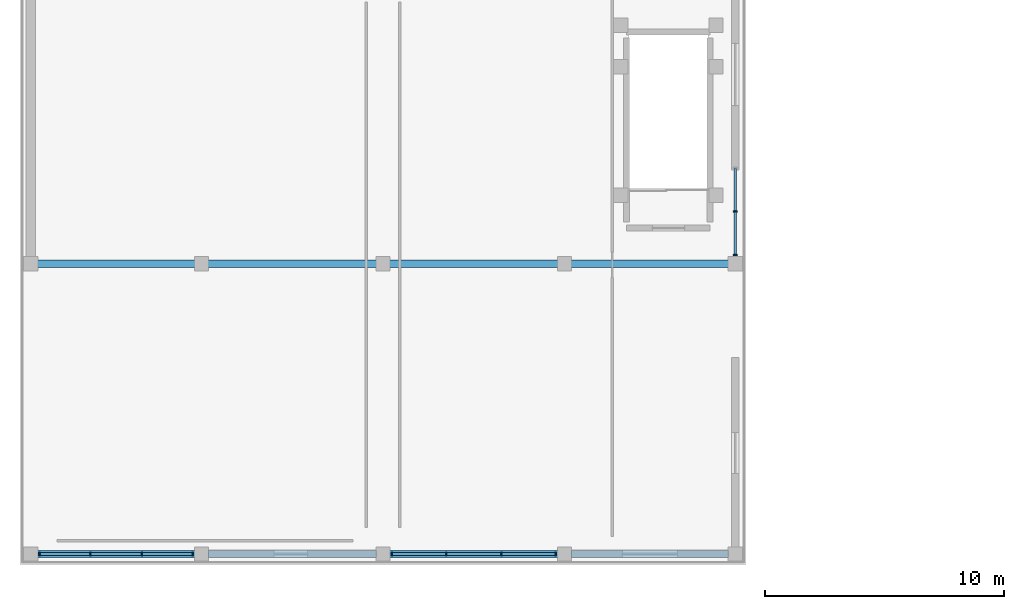
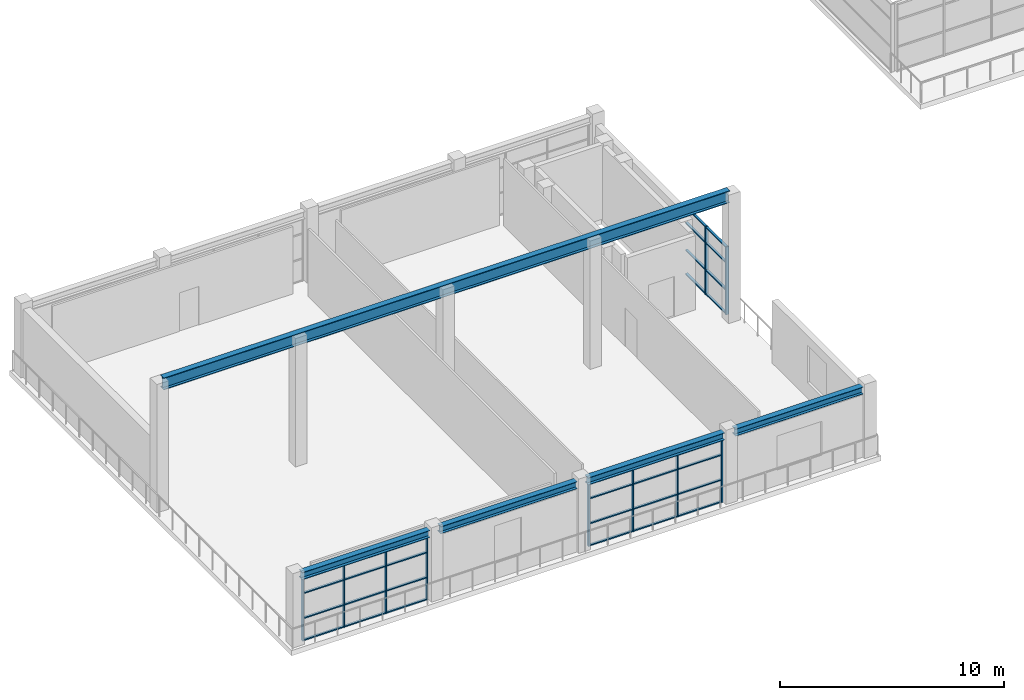
# One storey, part 12 of 87: 42 members, 5 beams, 3 elements without a shape of their own.
"""IFC4 building model written with IfcOpenShell, lengths in metres."""

import ifcopenshell
import ifcopenshell.guid

model = None  # the IFC model being written
_history = None  # IfcOwnerHistory: only IFC2X3 demands one
_inside = {}  # id of a spatial element -> (the spatial element, [elements in it])
_under = {}  # id of a project, library or spatial element -> (it, [spatial elements below it])
_declared = {}  # id of a project -> (the project, [libraries it declares])
_typed = {}  # id of a type object -> (the type object, [elements of that type])
_made_of = {}  # id of a material, layer set ... -> (it, [elements and type objects made of it])


def new_model(schema):
    """Start an empty IFC model of exactly this schema.

    Asked for "IFC4X3", IfcOpenShell would pick the latest addendum, in which some entities
    have other attributes; the version numbers below select the first issue.
    IFC2X3 requires an IfcOwnerHistory on every rooted entity: one is made here for all.
    """
    global model, _history
    if schema == "IFC4X3":
        model = ifcopenshell.file(schema_version=(4, 3, 0, 0))
    else:
        model = ifcopenshell.file(schema=schema)
    _inside.clear()
    _under.clear()
    _declared.clear()
    _typed.clear()
    _made_of.clear()
    _history = None
    if model.schema == "IFC2X3":
        org = make("IfcOrganization", Name="unknown")
        user = make(
            "IfcPersonAndOrganization",
            ThePerson=make("IfcPerson", FamilyName="unknown"),
            TheOrganization=org,
        )
        app = make(
            "IfcApplication",
            ApplicationDeveloper=org,
            Version="unknown",
            ApplicationFullName="unknown",
            ApplicationIdentifier="unknown",
        )
        _history = make(
            "IfcOwnerHistory",
            OwningUser=user,
            OwningApplication=app,
            ChangeAction="ADDED",
            CreationDate=0,
        )
    return model


def make(cls, **values):
    """One entity of the class cls with the attributes given. An attribute that is None is left unset."""
    return model.create_entity(
        cls, **{name: value for name, value in values.items() if value is not None}
    )


def rooted(cls, **values):
    """An entity with a GlobalId (a new one), such as an element, a storey or a relation."""
    return make(cls, GlobalId=ifcopenshell.guid.new(), OwnerHistory=_history, **values)


def si_unit(unit_type, name, prefix=None):
    """IfcSIUnit, for example si_unit("LENGTHUNIT", "METRE", prefix="MILLI")."""
    return make("IfcSIUnit", UnitType=unit_type, Prefix=prefix, Name=name)


def assignment(units):
    """IfcUnitAssignment: the units of a project."""
    return None if units is None else make("IfcUnitAssignment", Units=units)


def point(xyz):
    """IfcCartesianPoint."""
    return None if xyz is None else make("IfcCartesianPoint", Coordinates=xyz)


def direction(xyz):
    """IfcDirection."""
    return None if xyz is None else make("IfcDirection", DirectionRatios=xyz)


def frame(location, z_axis=None, x_axis=None):
    """IfcAxis2Placement3D, a coordinate frame: its origin and axes. An axis left out is left unset."""
    return make(
        "IfcAxis2Placement3D",
        Location=point(location),
        Axis=direction(z_axis),
        RefDirection=direction(x_axis),
    )


def frame_2d(location, x_axis=None):
    """IfcAxis2Placement2D, a coordinate frame in the plane: its origin and x axis."""
    return make(
        "IfcAxis2Placement2D", Location=point(location), RefDirection=direction(x_axis)
    )


def origin():
    """The frame at (0, 0, 0) with its axes left unset."""
    return frame((0.0, 0.0, 0.0))


def origin_2d():
    """The frame at (0, 0) in the plane with its x axis left unset."""
    return frame_2d((0.0, 0.0))


def place(relative_to, where):
    """IfcLocalPlacement: puts the frame where relative to a parent placement (None: the world)."""
    return make(
        "IfcLocalPlacement", PlacementRelTo=relative_to, RelativePlacement=where
    )


def context(
    kind, dimensions, precision=None, world=None, true_north=None, identifier=None
):
    """IfcGeometricRepresentationContext, for example the 3D "Model" context."""
    return make(
        "IfcGeometricRepresentationContext",
        ContextIdentifier=identifier,
        ContextType=kind,
        CoordinateSpaceDimension=dimensions,
        Precision=precision,
        WorldCoordinateSystem=world,
        TrueNorth=true_north,
    )


def subcontext(parent, identifier, kind, view, scale=None):
    """IfcGeometricRepresentationSubContext, for example "Body" below "Model"."""
    return make(
        "IfcGeometricRepresentationSubContext",
        ContextIdentifier=identifier,
        ContextType=kind,
        ParentContext=parent,
        TargetScale=scale,
        TargetView=view,
    )


def project(units=None, contexts=None):
    """IfcProject with its units and contexts."""
    return rooted(
        "IfcProject",
        Name="project",
        RepresentationContexts=contexts,
        UnitsInContext=assignment(units),
    )


def spatial(cls, under=None, at=None, **own):
    """A site, building, storey or space (cls), placed at a placement, below another one or the project."""
    s = rooted(cls, ObjectPlacement=at, **own)
    if under is not None:
        _under.setdefault(under.id(), (under, []))[1].append(s)
    return s


def profile(cls, at=None, kind="AREA", **sizes):
    """A parametric profile (cls). Its sizes go by their IFC names, for example OverallWidth=200.0."""
    return make(cls, ProfileType=kind, Position=at, **sizes)


def rectangle(**sizes):
    """IfcRectangleProfileDef."""
    return profile("IfcRectangleProfileDef", **sizes)


def i_section(**sizes):
    """IfcIShapeProfileDef."""
    return profile("IfcIShapeProfileDef", **sizes)


def extrude(swept, where, along, depth):
    """IfcExtrudedAreaSolid: the profile swept, set in the frame where, extruded along a direction by depth."""
    return make(
        "IfcExtrudedAreaSolid",
        SweptArea=swept,
        Position=where,
        ExtrudedDirection=direction(along),
        Depth=depth,
    )


def shape(context_of_items, identifier, shape_type, items):
    """IfcShapeRepresentation: the items that make up one representation, for example the "Body"."""
    return make(
        "IfcShapeRepresentation",
        ContextOfItems=context_of_items,
        RepresentationIdentifier=identifier,
        RepresentationType=shape_type,
        Items=items,
    )


def material(Name=None, Category=None):
    """IfcMaterial."""
    return make("IfcMaterial", Name=Name, Category=Category)


def material_profile(
    of_material, cross_section, Name=None, Category=None, Priority=None
):
    """IfcMaterialProfile: a cross section and its material."""
    return make(
        "IfcMaterialProfile",
        Name=Name,
        Material=of_material,
        Profile=cross_section,
        Priority=Priority,
        Category=Category,
    )


def profile_set(profiles, Name=None, composite=None):
    """IfcMaterialProfileSet."""
    return make(
        "IfcMaterialProfileSet",
        Name=Name,
        MaterialProfiles=profiles,
        CompositeProfile=composite,
    )


def made_of(thing, what):
    """Note that an element or type object is made of a material, layer set ...; save() writes the relation."""
    if what is not None:
        _made_of.setdefault(what.id(), (what, []))[1].append(thing)
    return thing


def type_object(cls, material=None, **own):
    """A type object (cls), such as IfcWallType, which elements share."""
    return made_of(rooted(cls, **own), material)


def element(
    cls,
    number,
    at=None,
    inside=None,
    cuts=None,
    type_object=None,
    material=None,
    context=None,
    identifier="Body",
    shape_type=None,
    held_by="IfcProductDefinitionShape",
    body=None,
    shapes=None,
    **own,
):
    """One element of the class cls, such as IfcWall. Its Tag is "e" and its number.

    at: its placement. inside: the storey or other place that contains it. cuts: it is an
    opening in that element (IfcRelVoidsElement). A single representation is given by context,
    identifier, shape_type and body (its items); several are given by shapes. held_by: the class
    of the entity that holds the representations. save() writes the other relations.
    """
    e = rooted(cls, Tag="e%d" % number, ObjectPlacement=at, **own)
    if body is not None:
        shapes = [shape(context, identifier, shape_type, body)]
    if shapes is not None:
        e.Representation = make(held_by, Representations=shapes)
    if inside is not None:
        _inside.setdefault(inside.id(), (inside, []))[1].append(e)
    if cuts is not None:
        rooted(
            "IfcRelVoidsElement", RelatingBuildingElement=cuts, RelatedOpeningElement=e
        )
    if type_object is not None:
        _typed.setdefault(type_object.id(), (type_object, []))[1].append(e)
    return made_of(e, material)


def aggregate(whole, parts):
    """IfcRelAggregates: a whole, such as a stair, and the parts it consists of."""
    return rooted("IfcRelAggregates", RelatingObject=whole, RelatedObjects=parts)


def save(model, path):
    """Write the relations noted so far, then the file.

    IfcRelAggregates (storeys below a building ...), IfcRelContainedInSpatialStructure (elements
    in a storey), IfcRelDefinesByType, IfcRelAssociatesMaterial and IfcRelDeclares: one each for
    every whole, place, type object, material and project.
    """
    for whole, parts in _under.values():
        aggregate(whole, parts)
    for where, things in _inside.values():
        rooted(
            "IfcRelContainedInSpatialStructure",
            RelatedElements=things,
            RelatingStructure=where,
        )
    for kind, things in _typed.values():
        rooted("IfcRelDefinesByType", RelatedObjects=things, RelatingType=kind)
    for what, things in _made_of.values():
        rooted("IfcRelAssociatesMaterial", RelatedObjects=things, RelatingMaterial=what)
    for by, libraries in _declared.values():
        rooted("IfcRelDeclares", RelatingContext=by, RelatedDefinitions=libraries)
    model.write(path)


model = new_model("IFC4")

# Units and contexts
model_context = context("Model", 3, precision=1e-05, world=origin(), true_north=direction((0.0, 1.0)))
body_context = subcontext(model_context, "Body", "Model", "MODEL_VIEW")
ifc_project = project(units=[si_unit("LENGTHUNIT", "METRE"), si_unit("AREAUNIT", "SQUARE_METRE"), si_unit("VOLUMEUNIT", "CUBIC_METRE"), si_unit("PLANEANGLEUNIT", "RADIAN"), si_unit("MASSUNIT", "GRAM", prefix="KILO")], contexts=[model_context])

# Site, building, storey
site_placement = place(None, origin())
site = spatial("IfcSite", under=ifc_project, at=site_placement, CompositionType="ELEMENT")
building_placement = place(site_placement, origin())
building = spatial("IfcBuilding", under=site, at=building_placement, Name="Saryqyr Civic Hall", CompositionType="ELEMENT")
storey_placement = place(building_placement, frame((0.0, 0.0, 5.10009765625)))
storey = spatial("IfcBuildingStorey", under=building, at=storey_placement, Name="L01", CompositionType="ELEMENT", Elevation=5.10009765625)

# Curtain wall, members
ifc_material_1 = material(Name="Anodised aluminium and triple low-E glass", Category="aluminium")
curtain_wall_type_1 = type_object("IfcCurtainWallType", Name="ENV-CW-STD-61", PredefinedType="NOTDEFINED", material=ifc_material_1)
curtain_wall_1_placement = place(storey_placement, origin())
curtain_wall_1 = element("IfcCurtainWall", 1, at=curtain_wall_1_placement, inside=storey, type_object=curtain_wall_type_1, Name="Curtain wall V7W-CW-L01-0-1", PredefinedType="NOTDEFINED")
ifc_material_2 = material(Name="Anodised aluminium", Category="aluminium")
ifc_material_profile_1 = material_profile(ifc_material_2, rectangle(XDim=0.06005859375, YDim=0.159912109375, at=origin_2d()), Name="ALU MULLION 60x160")
ifc_profile_set_1 = profile_set([ifc_material_profile_1], Name="Anodised aluminium")
member_type_1 = type_object("IfcMemberType", Name="ENV-CW-MUL-180", PredefinedType="MULLION", material=ifc_profile_set_1)
member_1_placement = place(storey_placement, frame((22.429931640625, 0.449951171875, 0.0), z_axis=(0.0, 0.0, 1.0), x_axis=(-1.0, 0.0, 0.0)))
member_1 = element("IfcMember", 2, at=member_1_placement, type_object=member_type_1, Name="CW-61 mullion 1", PredefinedType="MULLION", context=body_context, shape_type="SweptSolid", body=[
    extrude(rectangle(XDim=0.06005859375, YDim=0.159912109375, at=origin_2d()), origin(), (0.0, 0.0, 1.0), 3.40478515625),
])
member_2_placement = place(storey_placement, frame((20.1533203125, 0.449951171875, 0.0), z_axis=(0.0, 0.0, 1.0), x_axis=(-1.0, 0.0, 0.0)))
member_2 = element("IfcMember", 3, at=member_2_placement, type_object=member_type_1, Name="CW-61 mullion 2", PredefinedType="MULLION", context=body_context, shape_type="SweptSolid", body=[
    extrude(rectangle(XDim=0.06005859375, YDim=0.159912109375, at=origin_2d()), origin(), (0.0, 0.0, 1.0), 3.40478515625),
])
member_3_placement = place(storey_placement, frame((17.8466796875, 0.449951171875, 0.0), z_axis=(0.0, 0.0, 1.0), x_axis=(-1.0, 0.0, 0.0)))
member_3 = element("IfcMember", 4, at=member_3_placement, type_object=member_type_1, Name="CW-61 mullion 3", PredefinedType="MULLION", context=body_context, shape_type="SweptSolid", body=[
    extrude(rectangle(XDim=0.06005859375, YDim=0.159912109375, at=origin_2d()), origin(), (0.0, 0.0, 1.0), 3.40478515625),
])
member_4_placement = place(storey_placement, frame((15.570068359375, 0.449951171875, 0.0), z_axis=(0.0, 0.0, 1.0), x_axis=(-1.0, 0.0, 0.0)))
member_4 = element("IfcMember", 5, at=member_4_placement, type_object=member_type_1, Name="CW-61 mullion 4", PredefinedType="MULLION", context=body_context, shape_type="SweptSolid", body=[
    extrude(rectangle(XDim=0.06005859375, YDim=0.159912109375, at=origin_2d()), origin(), (0.0, 0.0, 1.0), 3.40478515625),
])

curtain_wall_type_2 = type_object("IfcCurtainWallType", Name="ENV-CW-STD-62", PredefinedType="NOTDEFINED", material=ifc_material_1)
curtain_wall_2_placement = place(storey_placement, origin())
curtain_wall_2 = element("IfcCurtainWall", 6, at=curtain_wall_2_placement, inside=storey, type_object=curtain_wall_type_2, Name="Curtain wall V7W-CW-L01-0-3", PredefinedType="NOTDEFINED")
member_5_placement = place(storey_placement, frame((7.22998046875, 0.449951171875, 0.0), z_axis=(0.0, 0.0, 1.0), x_axis=(-1.0, 0.0, 0.0)))
member_5 = element("IfcMember", 7, at=member_5_placement, type_object=member_type_1, Name="CW-62 mullion 1", PredefinedType="MULLION", context=body_context, shape_type="SweptSolid", body=[
    extrude(rectangle(XDim=0.06005859375, YDim=0.159912109375, at=origin_2d()), origin(), (0.0, 0.0, 1.0), 3.40478515625),
])
member_6_placement = place(storey_placement, frame((5.103271484375, 0.449951171875, 0.0), z_axis=(0.0, 0.0, 1.0), x_axis=(-1.0, 0.0, 0.0)))
member_6 = element("IfcMember", 8, at=member_6_placement, type_object=member_type_1, Name="CW-62 mullion 2", PredefinedType="MULLION", context=body_context, shape_type="SweptSolid", body=[
    extrude(rectangle(XDim=0.06005859375, YDim=0.159912109375, at=origin_2d()), origin(), (0.0, 0.0, 1.0), 3.40478515625),
])
member_7_placement = place(storey_placement, frame((2.94677734375, 0.449951171875, 0.0), z_axis=(0.0, 0.0, 1.0), x_axis=(-1.0, 0.0, 0.0)))
member_7 = element("IfcMember", 9, at=member_7_placement, type_object=member_type_1, Name="CW-62 mullion 3", PredefinedType="MULLION", context=body_context, shape_type="SweptSolid", body=[
    extrude(rectangle(XDim=0.06005859375, YDim=0.159912109375, at=origin_2d()), origin(), (0.0, 0.0, 1.0), 3.40478515625),
])
member_8_placement = place(storey_placement, frame((0.820068359375, 0.449951171875, 0.0), z_axis=(0.0, 0.0, 1.0), x_axis=(-1.0, 0.0, 0.0)))
member_8 = element("IfcMember", 10, at=member_8_placement, type_object=member_type_1, Name="CW-62 mullion 4", PredefinedType="MULLION", context=body_context, shape_type="SweptSolid", body=[
    extrude(rectangle(XDim=0.06005859375, YDim=0.159912109375, at=origin_2d()), origin(), (0.0, 0.0, 1.0), 3.40478515625),
])

curtain_wall_type_3 = type_object("IfcCurtainWallType", Name="ENV-CW-STD-45", PredefinedType="NOTDEFINED", material=ifc_material_1)
curtain_wall_3_placement = place(storey_placement, origin())
curtain_wall_3 = element("IfcCurtainWall", 11, at=curtain_wall_3_placement, inside=storey, type_object=curtain_wall_type_3, Name="Curtain wall V7W-CW-L01-1-1", PredefinedType="NOTDEFINED")
member_9_placement = place(storey_placement, frame((29.949951171875, 14.794921875, 0.0), z_axis=(0.0, 0.0, 1.0), x_axis=(0.0, -1.0, 0.0)))
member_9 = element("IfcMember", 12, at=member_9_placement, type_object=member_type_1, Name="CW-45 mullion 2", PredefinedType="MULLION", context=body_context, shape_type="SweptSolid", body=[
    extrude(rectangle(XDim=0.06005859375, YDim=0.159912109375, at=origin_2d()), origin(), (0.0, 0.0, 1.0), 3.699951171875),
])
member_10_placement = place(storey_placement, frame((29.949951171875, 12.969970703125, 0.0), z_axis=(0.0, 0.0, 1.0), x_axis=(0.0, -1.0, 0.0)))
member_10 = element("IfcMember", 13, at=member_10_placement, type_object=member_type_1, Name="CW-45 mullion 3", PredefinedType="MULLION", context=body_context, shape_type="SweptSolid", body=[
    extrude(rectangle(XDim=0.06005859375, YDim=0.159912109375, at=origin_2d()), origin(), (0.0, 0.0, 1.0), 3.699951171875),
])

# Member
ifc_material_profile_2 = material_profile(ifc_material_2, rectangle(XDim=0.1201171875, YDim=0.06005859375, at=origin_2d()), Name="ALU TRANSOM 120x60")
ifc_profile_set_2 = profile_set([ifc_material_profile_2], Name="Anodised aluminium")
member_type_2 = type_object("IfcMemberType", Name="ENV-CW-TRN-150", PredefinedType="USERDEFINED", material=ifc_profile_set_2)
member_11_placement = place(storey_placement, frame((22.39990234375, 0.449951171875, 0.02978515625), z_axis=(-1.0, 0.0, 0.0), x_axis=(0.0, -1.0, 0.0)))
member_11 = element("IfcMember", 14, at=member_11_placement, type_object=member_type_2, Name="CW-61 transom 1.1", ObjectType="TRANSOM", PredefinedType="USERDEFINED", context=body_context, shape_type="SweptSolid", body=[
    extrude(rectangle(XDim=0.1201171875, YDim=0.06005859375, at=origin_2d()), origin(), (0.0, 0.0, 1.0), 2.216552734375),
])

member_12_placement = place(storey_placement, frame((22.39990234375, 0.449951171875, 1.225830078125), z_axis=(-1.0, 0.0, 0.0), x_axis=(0.0, -1.0, 0.0)))
member_12 = element("IfcMember", 15, at=member_12_placement, type_object=member_type_2, Name="CW-61 transom 1.2", ObjectType="TRANSOM", PredefinedType="USERDEFINED", context=body_context, shape_type="SweptSolid", body=[
    extrude(rectangle(XDim=0.1201171875, YDim=0.06005859375, at=origin_2d()), origin(), (0.0, 0.0, 1.0), 2.216552734375),
])

member_13_placement = place(storey_placement, frame((22.39990234375, 0.449951171875, 2.587890625), z_axis=(-1.0, 0.0, 0.0), x_axis=(0.0, -1.0, 0.0)))
member_13 = element("IfcMember", 16, at=member_13_placement, type_object=member_type_2, Name="CW-61 transom 1.3", ObjectType="TRANSOM", PredefinedType="USERDEFINED", context=body_context, shape_type="SweptSolid", body=[
    extrude(rectangle(XDim=0.1201171875, YDim=0.06005859375, at=origin_2d()), origin(), (0.0, 0.0, 1.0), 2.216552734375),
])

member_14_placement = place(storey_placement, frame((22.39990234375, 0.449951171875, 3.375), z_axis=(-1.0, 0.0, 0.0), x_axis=(0.0, -1.0, 0.0)))
member_14 = element("IfcMember", 17, at=member_14_placement, type_object=member_type_2, Name="CW-61 transom 1.4", ObjectType="TRANSOM", PredefinedType="USERDEFINED", context=body_context, shape_type="SweptSolid", body=[
    extrude(rectangle(XDim=0.1201171875, YDim=0.06005859375, at=origin_2d()), origin(), (0.0, 0.0, 1.0), 2.216552734375),
])

member_15_placement = place(storey_placement, frame((20.123291015625, 0.449951171875, 0.02978515625), z_axis=(-1.0, 0.0, 0.0), x_axis=(0.0, -1.0, 0.0)))
member_15 = element("IfcMember", 18, at=member_15_placement, type_object=member_type_2, Name="CW-61 transom 2.1", ObjectType="TRANSOM", PredefinedType="USERDEFINED", context=body_context, shape_type="SweptSolid", body=[
    extrude(rectangle(XDim=0.1201171875, YDim=0.06005859375, at=origin_2d()), origin(), (0.0, 0.0, 1.0), 2.24658203125),
])

member_16_placement = place(storey_placement, frame((20.123291015625, 0.449951171875, 1.225830078125), z_axis=(-1.0, 0.0, 0.0), x_axis=(0.0, -1.0, 0.0)))
member_16 = element("IfcMember", 19, at=member_16_placement, type_object=member_type_2, Name="CW-61 transom 2.2", ObjectType="TRANSOM", PredefinedType="USERDEFINED", context=body_context, shape_type="SweptSolid", body=[
    extrude(rectangle(XDim=0.1201171875, YDim=0.06005859375, at=origin_2d()), origin(), (0.0, 0.0, 1.0), 2.24658203125),
])

member_17_placement = place(storey_placement, frame((20.123291015625, 0.449951171875, 2.587890625), z_axis=(-1.0, 0.0, 0.0), x_axis=(0.0, -1.0, 0.0)))
member_17 = element("IfcMember", 20, at=member_17_placement, type_object=member_type_2, Name="CW-61 transom 2.3", ObjectType="TRANSOM", PredefinedType="USERDEFINED", context=body_context, shape_type="SweptSolid", body=[
    extrude(rectangle(XDim=0.1201171875, YDim=0.06005859375, at=origin_2d()), origin(), (0.0, 0.0, 1.0), 2.24658203125),
])

member_18_placement = place(storey_placement, frame((20.123291015625, 0.449951171875, 3.375), z_axis=(-1.0, 0.0, 0.0), x_axis=(0.0, -1.0, 0.0)))
member_18 = element("IfcMember", 21, at=member_18_placement, type_object=member_type_2, Name="CW-61 transom 2.4", ObjectType="TRANSOM", PredefinedType="USERDEFINED", context=body_context, shape_type="SweptSolid", body=[
    extrude(rectangle(XDim=0.1201171875, YDim=0.06005859375, at=origin_2d()), origin(), (0.0, 0.0, 1.0), 2.24658203125),
])

member_19_placement = place(storey_placement, frame((17.816650390625, 0.449951171875, 0.02978515625), z_axis=(-1.0, 0.0, 0.0), x_axis=(0.0, -1.0, 0.0)))
member_19 = element("IfcMember", 22, at=member_19_placement, type_object=member_type_2, Name="CW-61 transom 3.1", ObjectType="TRANSOM", PredefinedType="USERDEFINED", context=body_context, shape_type="SweptSolid", body=[
    extrude(rectangle(XDim=0.1201171875, YDim=0.06005859375, at=origin_2d()), origin(), (0.0, 0.0, 1.0), 2.216552734375),
])

member_20_placement = place(storey_placement, frame((17.816650390625, 0.449951171875, 1.225830078125), z_axis=(-1.0, 0.0, 0.0), x_axis=(0.0, -1.0, 0.0)))
member_20 = element("IfcMember", 23, at=member_20_placement, type_object=member_type_2, Name="CW-61 transom 3.2", ObjectType="TRANSOM", PredefinedType="USERDEFINED", context=body_context, shape_type="SweptSolid", body=[
    extrude(rectangle(XDim=0.1201171875, YDim=0.06005859375, at=origin_2d()), origin(), (0.0, 0.0, 1.0), 2.216552734375),
])

member_21_placement = place(storey_placement, frame((17.816650390625, 0.449951171875, 2.587890625), z_axis=(-1.0, 0.0, 0.0), x_axis=(0.0, -1.0, 0.0)))
member_21 = element("IfcMember", 24, at=member_21_placement, type_object=member_type_2, Name="CW-61 transom 3.3", ObjectType="TRANSOM", PredefinedType="USERDEFINED", context=body_context, shape_type="SweptSolid", body=[
    extrude(rectangle(XDim=0.1201171875, YDim=0.06005859375, at=origin_2d()), origin(), (0.0, 0.0, 1.0), 2.216552734375),
])

member_22_placement = place(storey_placement, frame((17.816650390625, 0.449951171875, 3.375), z_axis=(-1.0, 0.0, 0.0), x_axis=(0.0, -1.0, 0.0)))
member_22 = element("IfcMember", 25, at=member_22_placement, type_object=member_type_2, Name="CW-61 transom 3.4", ObjectType="TRANSOM", PredefinedType="USERDEFINED", context=body_context, shape_type="SweptSolid", body=[
    extrude(rectangle(XDim=0.1201171875, YDim=0.06005859375, at=origin_2d()), origin(), (0.0, 0.0, 1.0), 2.216552734375),
])

aggregate(curtain_wall_1, [member_1, member_2, member_3, member_4, member_11, member_12, member_13, member_14, member_15, member_16, member_17, member_18, member_19, member_20, member_21, member_22])

member_23_placement = place(storey_placement, frame((7.199951171875, 0.449951171875, 0.02978515625), z_axis=(-1.0, 0.0, 0.0), x_axis=(0.0, -1.0, 0.0)))
member_23 = element("IfcMember", 26, at=member_23_placement, type_object=member_type_2, Name="CW-62 transom 1.1", ObjectType="TRANSOM", PredefinedType="USERDEFINED", context=body_context, shape_type="SweptSolid", body=[
    extrude(rectangle(XDim=0.1201171875, YDim=0.06005859375, at=origin_2d()), origin(), (0.0, 0.0, 1.0), 2.066650390625),
])

member_24_placement = place(storey_placement, frame((7.199951171875, 0.449951171875, 1.225830078125), z_axis=(-1.0, 0.0, 0.0), x_axis=(0.0, -1.0, 0.0)))
member_24 = element("IfcMember", 27, at=member_24_placement, type_object=member_type_2, Name="CW-62 transom 1.2", ObjectType="TRANSOM", PredefinedType="USERDEFINED", context=body_context, shape_type="SweptSolid", body=[
    extrude(rectangle(XDim=0.1201171875, YDim=0.06005859375, at=origin_2d()), origin(), (0.0, 0.0, 1.0), 2.066650390625),
])

member_25_placement = place(storey_placement, frame((7.199951171875, 0.449951171875, 2.587890625), z_axis=(-1.0, 0.0, 0.0), x_axis=(0.0, -1.0, 0.0)))
member_25 = element("IfcMember", 28, at=member_25_placement, type_object=member_type_2, Name="CW-62 transom 1.3", ObjectType="TRANSOM", PredefinedType="USERDEFINED", context=body_context, shape_type="SweptSolid", body=[
    extrude(rectangle(XDim=0.1201171875, YDim=0.06005859375, at=origin_2d()), origin(), (0.0, 0.0, 1.0), 2.066650390625),
])

member_26_placement = place(storey_placement, frame((7.199951171875, 0.449951171875, 3.375), z_axis=(-1.0, 0.0, 0.0), x_axis=(0.0, -1.0, 0.0)))
member_26 = element("IfcMember", 29, at=member_26_placement, type_object=member_type_2, Name="CW-62 transom 1.4", ObjectType="TRANSOM", PredefinedType="USERDEFINED", context=body_context, shape_type="SweptSolid", body=[
    extrude(rectangle(XDim=0.1201171875, YDim=0.06005859375, at=origin_2d()), origin(), (0.0, 0.0, 1.0), 2.066650390625),
])

member_27_placement = place(storey_placement, frame((5.0732421875, 0.449951171875, 0.02978515625), z_axis=(-1.0, 0.0, 0.0), x_axis=(0.0, -1.0, 0.0)))
member_27 = element("IfcMember", 30, at=member_27_placement, type_object=member_type_2, Name="CW-62 transom 2.1", ObjectType="TRANSOM", PredefinedType="USERDEFINED", context=body_context, shape_type="SweptSolid", body=[
    extrude(rectangle(XDim=0.1201171875, YDim=0.06005859375, at=origin_2d()), origin(), (0.0, 0.0, 1.0), 2.0966796875),
])

member_28_placement = place(storey_placement, frame((5.0732421875, 0.449951171875, 1.225830078125), z_axis=(-1.0, 0.0, 0.0), x_axis=(0.0, -1.0, 0.0)))
member_28 = element("IfcMember", 31, at=member_28_placement, type_object=member_type_2, Name="CW-62 transom 2.2", ObjectType="TRANSOM", PredefinedType="USERDEFINED", context=body_context, shape_type="SweptSolid", body=[
    extrude(rectangle(XDim=0.1201171875, YDim=0.06005859375, at=origin_2d()), origin(), (0.0, 0.0, 1.0), 2.0966796875),
])

member_29_placement = place(storey_placement, frame((5.0732421875, 0.449951171875, 2.587890625), z_axis=(-1.0, 0.0, 0.0), x_axis=(0.0, -1.0, 0.0)))
member_29 = element("IfcMember", 32, at=member_29_placement, type_object=member_type_2, Name="CW-62 transom 2.3", ObjectType="TRANSOM", PredefinedType="USERDEFINED", context=body_context, shape_type="SweptSolid", body=[
    extrude(rectangle(XDim=0.1201171875, YDim=0.06005859375, at=origin_2d()), origin(), (0.0, 0.0, 1.0), 2.0966796875),
])

member_30_placement = place(storey_placement, frame((5.0732421875, 0.449951171875, 3.375), z_axis=(-1.0, 0.0, 0.0), x_axis=(0.0, -1.0, 0.0)))
member_30 = element("IfcMember", 33, at=member_30_placement, type_object=member_type_2, Name="CW-62 transom 2.4", ObjectType="TRANSOM", PredefinedType="USERDEFINED", context=body_context, shape_type="SweptSolid", body=[
    extrude(rectangle(XDim=0.1201171875, YDim=0.06005859375, at=origin_2d()), origin(), (0.0, 0.0, 1.0), 2.0966796875),
])

member_31_placement = place(storey_placement, frame((2.916748046875, 0.449951171875, 0.02978515625), z_axis=(-1.0, 0.0, 0.0), x_axis=(0.0, -1.0, 0.0)))
member_31 = element("IfcMember", 34, at=member_31_placement, type_object=member_type_2, Name="CW-62 transom 3.1", ObjectType="TRANSOM", PredefinedType="USERDEFINED", context=body_context, shape_type="SweptSolid", body=[
    extrude(rectangle(XDim=0.1201171875, YDim=0.06005859375, at=origin_2d()), origin(), (0.0, 0.0, 1.0), 2.066650390625),
])

member_32_placement = place(storey_placement, frame((2.916748046875, 0.449951171875, 1.225830078125), z_axis=(-1.0, 0.0, 0.0), x_axis=(0.0, -1.0, 0.0)))
member_32 = element("IfcMember", 35, at=member_32_placement, type_object=member_type_2, Name="CW-62 transom 3.2", ObjectType="TRANSOM", PredefinedType="USERDEFINED", context=body_context, shape_type="SweptSolid", body=[
    extrude(rectangle(XDim=0.1201171875, YDim=0.06005859375, at=origin_2d()), origin(), (0.0, 0.0, 1.0), 2.066650390625),
])

member_33_placement = place(storey_placement, frame((2.916748046875, 0.449951171875, 2.587890625), z_axis=(-1.0, 0.0, 0.0), x_axis=(0.0, -1.0, 0.0)))
member_33 = element("IfcMember", 36, at=member_33_placement, type_object=member_type_2, Name="CW-62 transom 3.3", ObjectType="TRANSOM", PredefinedType="USERDEFINED", context=body_context, shape_type="SweptSolid", body=[
    extrude(rectangle(XDim=0.1201171875, YDim=0.06005859375, at=origin_2d()), origin(), (0.0, 0.0, 1.0), 2.066650390625),
])

member_34_placement = place(storey_placement, frame((2.916748046875, 0.449951171875, 3.375), z_axis=(-1.0, 0.0, 0.0), x_axis=(0.0, -1.0, 0.0)))
member_34 = element("IfcMember", 37, at=member_34_placement, type_object=member_type_2, Name="CW-62 transom 3.4", ObjectType="TRANSOM", PredefinedType="USERDEFINED", context=body_context, shape_type="SweptSolid", body=[
    extrude(rectangle(XDim=0.1201171875, YDim=0.06005859375, at=origin_2d()), origin(), (0.0, 0.0, 1.0), 2.066650390625),
])

aggregate(curtain_wall_2, [member_5, member_6, member_7, member_8, member_23, member_24, member_25, member_26, member_27, member_28, member_29, member_30, member_31, member_32, member_33, member_34])

member_35_placement = place(storey_placement, frame((29.949951171875, 16.590087890625, 0.02978515625), z_axis=(0.0, -1.0, 0.0), x_axis=(1.0, 0.0, 0.0)))
member_35 = element("IfcMember", 38, at=member_35_placement, type_object=member_type_2, Name="CW-45 transom 1.1", ObjectType="TRANSOM", PredefinedType="USERDEFINED", context=body_context, shape_type="SweptSolid", body=[
    extrude(rectangle(XDim=0.1201171875, YDim=0.06005859375, at=origin_2d()), origin(), (0.0, 0.0, 1.0), 1.76513671875),
])

member_36_placement = place(storey_placement, frame((29.949951171875, 16.590087890625, 1.331787109375), z_axis=(0.0, -1.0, 0.0), x_axis=(1.0, 0.0, 0.0)))
member_36 = element("IfcMember", 39, at=member_36_placement, type_object=member_type_2, Name="CW-45 transom 1.2", ObjectType="TRANSOM", PredefinedType="USERDEFINED", context=body_context, shape_type="SweptSolid", body=[
    extrude(rectangle(XDim=0.1201171875, YDim=0.06005859375, at=origin_2d()), origin(), (0.0, 0.0, 1.0), 1.76513671875),
])

member_37_placement = place(storey_placement, frame((29.949951171875, 16.590087890625, 2.81201171875), z_axis=(0.0, -1.0, 0.0), x_axis=(1.0, 0.0, 0.0)))
member_37 = element("IfcMember", 40, at=member_37_placement, type_object=member_type_2, Name="CW-45 transom 1.3", ObjectType="TRANSOM", PredefinedType="USERDEFINED", context=body_context, shape_type="SweptSolid", body=[
    extrude(rectangle(XDim=0.1201171875, YDim=0.06005859375, at=origin_2d()), origin(), (0.0, 0.0, 1.0), 1.76513671875),
])

member_38_placement = place(storey_placement, frame((29.949951171875, 16.590087890625, 3.669921875), z_axis=(0.0, -1.0, 0.0), x_axis=(1.0, 0.0, 0.0)))
member_38 = element("IfcMember", 41, at=member_38_placement, type_object=member_type_2, Name="CW-45 transom 1.4", ObjectType="TRANSOM", PredefinedType="USERDEFINED", context=body_context, shape_type="SweptSolid", body=[
    extrude(rectangle(XDim=0.1201171875, YDim=0.06005859375, at=origin_2d()), origin(), (0.0, 0.0, 1.0), 1.76513671875),
])

member_39_placement = place(storey_placement, frame((29.949951171875, 14.764892578125, 0.02978515625), z_axis=(0.0, -1.0, 0.0), x_axis=(1.0, 0.0, 0.0)))
member_39 = element("IfcMember", 42, at=member_39_placement, type_object=member_type_2, Name="CW-45 transom 2.1", ObjectType="TRANSOM", PredefinedType="USERDEFINED", context=body_context, shape_type="SweptSolid", body=[
    extrude(rectangle(XDim=0.1201171875, YDim=0.06005859375, at=origin_2d()), origin(), (0.0, 0.0, 1.0), 1.764892578125),
])

member_40_placement = place(storey_placement, frame((29.949951171875, 14.764892578125, 1.331787109375), z_axis=(0.0, -1.0, 0.0), x_axis=(1.0, 0.0, 0.0)))
member_40 = element("IfcMember", 43, at=member_40_placement, type_object=member_type_2, Name="CW-45 transom 2.2", ObjectType="TRANSOM", PredefinedType="USERDEFINED", context=body_context, shape_type="SweptSolid", body=[
    extrude(rectangle(XDim=0.1201171875, YDim=0.06005859375, at=origin_2d()), origin(), (0.0, 0.0, 1.0), 1.764892578125),
])

member_41_placement = place(storey_placement, frame((29.949951171875, 14.764892578125, 2.81201171875), z_axis=(0.0, -1.0, 0.0), x_axis=(1.0, 0.0, 0.0)))
member_41 = element("IfcMember", 44, at=member_41_placement, type_object=member_type_2, Name="CW-45 transom 2.3", ObjectType="TRANSOM", PredefinedType="USERDEFINED", context=body_context, shape_type="SweptSolid", body=[
    extrude(rectangle(XDim=0.1201171875, YDim=0.06005859375, at=origin_2d()), origin(), (0.0, 0.0, 1.0), 1.764892578125),
])

member_42_placement = place(storey_placement, frame((29.949951171875, 14.764892578125, 3.669921875), z_axis=(0.0, -1.0, 0.0), x_axis=(1.0, 0.0, 0.0)))
member_42 = element("IfcMember", 45, at=member_42_placement, type_object=member_type_2, Name="CW-45 transom 2.4", ObjectType="TRANSOM", PredefinedType="USERDEFINED", context=body_context, shape_type="SweptSolid", body=[
    extrude(rectangle(XDim=0.1201171875, YDim=0.06005859375, at=origin_2d()), origin(), (0.0, 0.0, 1.0), 1.764892578125),
])

aggregate(curtain_wall_3, [member_9, member_10, member_35, member_36, member_37, member_38, member_39, member_40, member_41, member_42])

# Beams
ifc_material_3 = material(Name="Steel S355", Category="steel")
ifc_material_profile_3 = material_profile(ifc_material_3, i_section(OverallWidth=0.300048828125, OverallDepth=0.389892578125, WebThickness=0.010986328125, FlangeThickness=0.01904296875, at=origin_2d()), Name="HEA 400")
ifc_profile_set_3 = profile_set([ifc_material_profile_3], Name="Steel S355")
beam_type_1 = type_object("IfcBeamType", Name="STR-BM-HEA400", PredefinedType="BEAM", material=ifc_profile_set_3)
beam_1_placement = place(storey_placement, frame((0.72509765625, 0.449951171875, 3.625), z_axis=(1.0, 0.0, 0.0), x_axis=(0.0, 1.0, 0.0)))
element("IfcBeam", 46, at=beam_1_placement, inside=storey, type_object=beam_type_1, Name="Beam V7W-EBM-S1", PredefinedType="BEAM", context=body_context, shape_type="SweptSolid", body=[
    extrude(i_section(OverallWidth=0.300048828125, OverallDepth=0.389892578125, WebThickness=0.010986328125, FlangeThickness=0.01904296875, at=origin_2d()), origin(), (0.0, 0.0, 1.0), 6.599853515625),
])
beam_2_placement = place(storey_placement, frame((7.875, 0.449951171875, 3.625), z_axis=(1.0, 0.0, 0.0), x_axis=(0.0, 1.0, 0.0)))
element("IfcBeam", 47, at=beam_2_placement, inside=storey, type_object=beam_type_1, Name="Beam V7W-EBM-S2", PredefinedType="BEAM", context=body_context, shape_type="SweptSolid", body=[
    extrude(i_section(OverallWidth=0.300048828125, OverallDepth=0.389892578125, WebThickness=0.010986328125, FlangeThickness=0.01904296875, at=origin_2d()), origin(), (0.0, 0.0, 1.0), 7.050048828125),
])
beam_3_placement = place(storey_placement, frame((15.47509765625, 0.449951171875, 3.625), z_axis=(1.0, 0.0, 0.0), x_axis=(0.0, 1.0, 0.0)))
element("IfcBeam", 48, at=beam_3_placement, inside=storey, type_object=beam_type_1, Name="Beam V7W-EBM-S3", PredefinedType="BEAM", context=body_context, shape_type="SweptSolid", body=[
    extrude(i_section(OverallWidth=0.300048828125, OverallDepth=0.389892578125, WebThickness=0.010986328125, FlangeThickness=0.01904296875, at=origin_2d()), origin(), (0.0, 0.0, 1.0), 7.0498046875),
])
beam_4_placement = place(storey_placement, frame((23.074951171875, 0.449951171875, 3.625), z_axis=(1.0, 0.0, 0.0), x_axis=(0.0, 1.0, 0.0)))
element("IfcBeam", 49, at=beam_4_placement, inside=storey, type_object=beam_type_1, Name="Beam V7W-EBM-S4", PredefinedType="BEAM", context=body_context, shape_type="SweptSolid", body=[
    extrude(i_section(OverallWidth=0.300048828125, OverallDepth=0.389892578125, WebThickness=0.010986328125, FlangeThickness=0.01904296875, at=origin_2d()), origin(), (0.0, 0.0, 1.0), 6.60009765625),
])
ifc_material_profile_4 = material_profile(ifc_material_3, i_section(OverallWidth=0.300048828125, OverallDepth=0.64990234375, WebThickness=0.01611328125, FlangeThickness=0.031005859375, at=origin_2d()), Name="HEB 650")
ifc_profile_set_4 = profile_set([ifc_material_profile_4], Name="Steel S355")
beam_type_2 = type_object("IfcBeamType", Name="STR-BM-HEB650", PredefinedType="BEAM", material=ifc_profile_set_4)
beam_5_placement = place(storey_placement, frame((0.60009765625, 12.60009765625, 6.785400390625), z_axis=(1.0, 0.0, 0.0), x_axis=(0.0, 1.0, 0.0)))
element("IfcBeam", 50, at=beam_5_placement, inside=storey, type_object=beam_type_2, Name="Gatehouse ridge girder W", PredefinedType="BEAM", context=body_context, shape_type="SweptSolid", body=[
    extrude(i_section(OverallWidth=0.300048828125, OverallDepth=0.64990234375, WebThickness=0.01611328125, FlangeThickness=0.031005859375, at=origin_2d()), origin(), (0.0, 0.0, 1.0), 29.199951171875),
])

save(model, "model.ifc")
